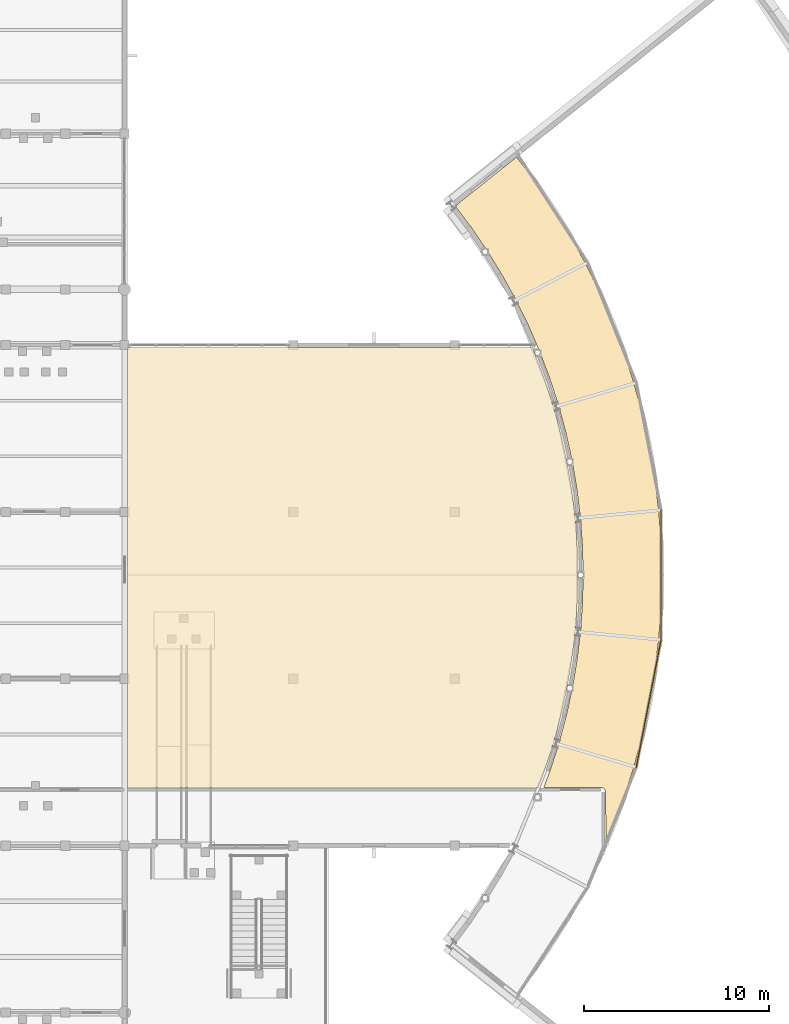
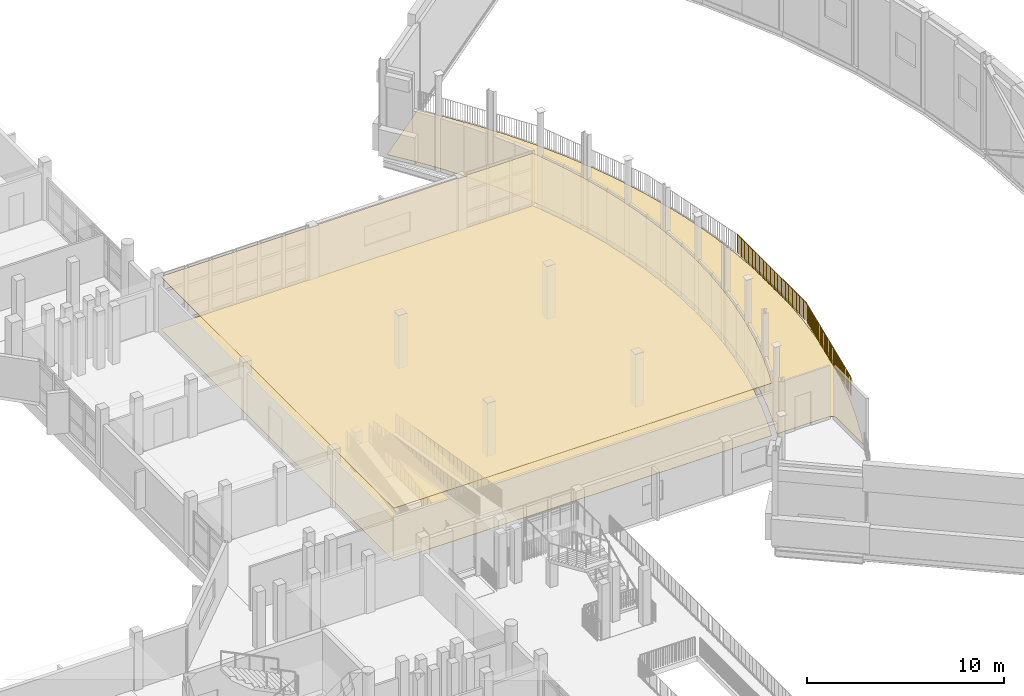
# One storey, part 102 of 104: 3 coverings, 2 railings.
"""IFC4 building model written with IfcOpenShell, lengths in metres."""

from ifc_helpers import new_model, si_unit, direction, frame, origin, origin_2d, place, context, subcontext, project, spatial, polyline, circle, outline, extrude, material, layer, layer_set, type_object, element, save


model = new_model("IFC4")

# Units and contexts
model_context = context("Model", 3, precision=1e-05, world=origin(), true_north=direction((0.0, 1.0)))
body_context = subcontext(model_context, "Body", "Model", "MODEL_VIEW")
ifc_project = project(units=[si_unit("LENGTHUNIT", "METRE"), si_unit("AREAUNIT", "SQUARE_METRE"), si_unit("VOLUMEUNIT", "CUBIC_METRE"), si_unit("PLANEANGLEUNIT", "RADIAN"), si_unit("MASSUNIT", "GRAM", prefix="KILO")], contexts=[model_context])

# Site, building, storey
site_placement = place(None, origin())
site = spatial("IfcSite", under=ifc_project, at=site_placement, CompositionType="ELEMENT")
building_placement = place(site_placement, origin())
building = spatial("IfcBuilding", under=site, at=building_placement, Name="Vanh Quang Courtyard School", CompositionType="ELEMENT")
storey_placement = place(building_placement, frame((0.0, 0.0, 4.199951171875)))
storey = spatial("IfcBuildingStorey", under=building, at=storey_placement, Name="L01", CompositionType="ELEMENT", Elevation=4.199951171875)

# Coverings
ifc_material_1 = material(Name="Perforated mineral-fibre acoustic ceiling board")
ifc_layer_1 = layer(ifc_material_1, 0.02490234375)
ifc_layer_set_1 = layer_set([ifc_layer_1], Name="Perforated mineral-fibre acoustic ceiling board")
covering_type_1 = type_object("IfcCoveringType", Name="COV-CEIL-ACOUSTIC", PredefinedType="CEILING", material=ifc_layer_set_1)
covering_1_placement = place(storey_placement, frame((0.0, 0.0, 3.255126953125)))
element("IfcCovering", 1, at=covering_1_placement, inside=storey, type_object=covering_type_1, Name="Covering CV-CL1 (L01)", PredefinedType="CEILING", context=body_context, shape_type="SweptSolid", body=[
    extrude(outline(polyline([(119.530029296875, 68.260009765625), (119.530029296875, 68.260986328125), (119.5302734375, 68.261962890625), (119.530517578125, 68.262939453125), (119.53076171875, 68.263916015625), (119.53125, 68.2646484375), (119.53173828125, 68.265625), (119.5322265625, 68.266357421875), (119.532958984375, 68.26708984375), (119.53369140625, 68.267578125), (119.534423828125, 68.268310546875), (119.535400390625, 68.268798828125), (119.5361328125, 68.269287109375), (119.537109375, 68.26953125), (119.5380859375, 68.269775390625), (119.5390625, 68.27001953125), (119.5400390625, 68.27001953125), (141.377685546875, 68.27001953125), (141.378662109375, 68.27001953125), (141.37939453125, 68.269775390625), (141.380615234375, 68.26953125), (141.38134765625, 68.269287109375), (141.38232421875, 68.268798828125), (141.383056640625, 68.268310546875), (141.3837890625, 68.267822265625), (141.384521484375, 68.26708984375), (141.38525390625, 68.266357421875), (141.3857421875, 68.265625), (141.386474609375, 68.264892578125), (141.38671875, 68.263916015625), (141.531982421875, 67.92822265625), (141.531982421875, 67.927734375), (142.070068359375, 66.497802734375), (142.0703125, 66.497314453125), (142.537109375, 65.04931640625), (142.537353515625, 65.048828125), (142.936279296875, 63.57373046875), (142.936279296875, 63.5732421875), (143.26416015625, 62.080810546875), (143.26416015625, 62.080322265625), (143.520751953125, 60.567138671875), (143.520751953125, 60.566650390625), (143.70361328125, 59.049560546875), (143.70361328125, 59.049072265625), (143.813232421875, 57.52490234375), (143.813232421875, 57.5244140625), (143.849853515625, 55.996826171875), (143.849853515625, 55.99658203125), (143.81298828125, 54.46875), (143.81298828125, 54.46826171875), (143.70361328125, 52.950927734375), (143.70361328125, 52.950439453125), (143.520751953125, 51.433349609375), (143.520751953125, 51.432861328125), (143.265380859375, 49.92626953125), (143.265380859375, 49.92578125), (142.936279296875, 48.4267578125), (142.936279296875, 48.42626953125), (142.537353515625, 46.951171875), (142.537109375, 46.95068359375), (142.0703125, 45.502685546875), (142.070068359375, 45.502197265625), (141.75439453125, 44.662841796875), (141.7353515625, 44.55810546875), (141.735107421875, 44.557373046875), (141.73486328125, 44.556396484375), (141.734619140625, 44.555419921875), (141.73388671875, 44.554443359375), (141.7333984375, 44.5537109375), (141.732666015625, 44.552978515625), (141.73193359375, 44.55224609375), (141.731201171875, 44.5517578125), (141.73046875, 44.55126953125), (141.7294921875, 44.55078125), (141.728515625, 44.55029296875), (141.7275390625, 44.55029296875), (141.7265625, 44.550048828125), (141.7255859375, 44.550048828125), (119.5400390625, 44.550048828125), (119.5390625, 44.550048828125), (119.5380859375, 44.55029296875), (119.537109375, 44.55029296875), (119.5361328125, 44.55078125), (119.535400390625, 44.55126953125), (119.534423828125, 44.5517578125), (119.53369140625, 44.55224609375), (119.532958984375, 44.552978515625), (119.5322265625, 44.5537109375), (119.53173828125, 44.554443359375), (119.53125, 44.555419921875), (119.53076171875, 44.55615234375), (119.530517578125, 44.55712890625), (119.5302734375, 44.55810546875), (119.530029296875, 44.55908203125), (119.530029296875, 44.56005859375), (119.530029296875, 68.260009765625)])), origin(), (0.0, 0.0, 1.0), 0.02490234375),
])
ifc_material_2 = material(Name="Polished cementitious terrazzo tile", Category="concrete")
ifc_layer_2 = layer(ifc_material_2, 0.02001953125)
ifc_layer_set_2 = layer_set([ifc_layer_2], Name="Polished cementitious terrazzo tile")
covering_type_2 = type_object("IfcCoveringType", Name="COV-FLR-TERRAZZO", PredefinedType="FLOORING", material=ifc_layer_set_2)
covering_2_placement = place(storey_placement, origin())
element("IfcCovering", 2, at=covering_2_placement, inside=storey, type_object=covering_type_2, Name="Covering CV-FL1 (L01)", PredefinedType="FLOORING", context=body_context, shape_type="SweptSolid", body=[
    extrude(outline(polyline([(139.756591796875, 72.183349609375), (138.944580078125, 73.501953125), (138.077880859375, 74.769287109375), (137.2294921875, 75.889892578125), (137.22900390625, 75.890869140625), (137.228515625, 75.8916015625), (137.228271484375, 75.892578125), (137.227783203125, 75.893310546875), (137.227783203125, 75.894287109375), (137.2275390625, 75.895263671875), (137.2275390625, 75.896240234375), (137.227783203125, 75.897216796875), (137.227783203125, 75.898193359375), (137.22802734375, 75.899169921875), (137.228515625, 75.89990234375), (137.22900390625, 75.90087890625), (137.2294921875, 75.901611328125), (137.22998046875, 75.902587890625), (137.230712890625, 75.9033203125), (137.2314453125, 75.90380859375), (140.533935546875, 78.53076171875), (140.53466796875, 78.531494140625), (140.535400390625, 78.531982421875), (140.53662109375, 78.5322265625), (140.537353515625, 78.53271484375), (140.538330078125, 78.53271484375), (140.539306640625, 78.532958984375), (140.540283203125, 78.532958984375), (140.54150390625, 78.532958984375), (140.542236328125, 78.53271484375), (140.543212890625, 78.532470703125), (140.544189453125, 78.531982421875), (140.545166015625, 78.53173828125), (140.5458984375, 78.531005859375), (140.546630859375, 78.530517578125), (140.54736328125, 78.52978515625), (140.548095703125, 78.529052734375), (141.516845703125, 77.249267578125), (141.51708984375, 77.248779296875), (142.50244140625, 75.80859375), (142.502685546875, 75.80810546875), (143.41748046875, 74.322509765625), (143.417724609375, 74.322021484375), (144.260498046875, 72.7939453125), (144.2607421875, 72.79345703125), (145.029052734375, 71.226806640625), (145.029296875, 71.2265625), (145.7216796875, 69.62451171875), (145.7216796875, 69.6240234375), (146.33642578125, 67.990966796875), (146.33642578125, 67.990478515625), (146.8720703125, 66.329833984375), (146.872314453125, 66.329345703125), (147.32763671875, 64.644775390625), (147.327880859375, 64.644287109375), (147.70166015625, 62.93994140625), (147.701904296875, 62.939453125), (147.99365234375, 61.218994140625), (147.99365234375, 61.218505859375), (148.202392578125, 59.486083984375), (148.20263671875, 59.485595703125), (148.328125, 57.7451171875), (148.328125, 57.74462890625), (148.3701171875, 56.000244140625), (148.3701171875, 55.999755859375), (148.328125, 54.25537109375), (148.328125, 54.2548828125), (148.20263671875, 52.514404296875), (148.202392578125, 52.513916015625), (147.99365234375, 50.781494140625), (147.99365234375, 50.781005859375), (147.701904296875, 49.060546875), (147.70166015625, 49.06005859375), (147.327880859375, 47.355712890625), (147.32763671875, 47.355224609375), (146.872314453125, 45.670654296875), (146.8720703125, 45.670166015625), (146.33642578125, 44.009521484375), (146.33642578125, 44.009033203125), (145.7216796875, 42.3759765625), (145.7216796875, 42.37548828125), (145.369140625, 41.56005859375), (145.36865234375, 41.559326171875), (145.3681640625, 41.558349609375), (145.36767578125, 41.5576171875), (145.366943359375, 41.556884765625), (145.3662109375, 41.556396484375), (145.365478515625, 41.5556640625), (145.364501953125, 41.55517578125), (145.36376953125, 41.5546875), (145.36279296875, 41.554443359375), (145.36181640625, 41.55419921875), (145.36083984375, 41.55419921875), (145.35986328125, 41.55419921875), (145.35888671875, 41.55419921875), (145.35791015625, 41.55419921875), (145.35693359375, 41.5546875), (145.356201171875, 41.554931640625), (145.355224609375, 41.555419921875), (145.3544921875, 41.555908203125), (145.353515625, 41.556396484375), (145.352783203125, 41.55712890625), (145.352294921875, 41.557861328125), (145.351806640625, 41.55859375), (145.351318359375, 41.559326171875), (145.350830078125, 41.560302734375), (145.350341796875, 41.561279296875), (145.35009765625, 41.562255859375), (145.35009765625, 41.56298828125), (145.35009765625, 41.564208984375), (145.349853515625, 44.266357421875), (145.343017578125, 44.322998046875), (145.318603515625, 44.390869140625), (145.2880859375, 44.438720703125), (145.249267578125, 44.4794921875), (145.164306640625, 44.5302734375), (145.110107421875, 44.54541015625), (145.0595703125, 44.550048828125), (142.025390625, 44.550048828125), (142.0244140625, 44.550048828125), (142.023681640625, 44.55029296875), (142.022705078125, 44.55029296875), (142.021728515625, 44.55078125), (142.02099609375, 44.551025390625), (142.02001953125, 44.551513671875), (142.019287109375, 44.55224609375), (142.0185546875, 44.552734375), (142.017822265625, 44.553466796875), (142.017333984375, 44.55419921875), (142.016845703125, 44.55517578125), (142.016357421875, 44.555908203125), (142.01611328125, 44.556884765625), (142.015625, 44.557861328125), (142.015625, 44.558837890625), (142.015380859375, 44.559814453125), (142.015380859375, 44.560791015625), (142.015625, 44.561767578125), (142.015869140625, 44.5625), (142.01611328125, 44.5634765625), (142.334716796875, 45.41015625), (142.805908203125, 46.871337890625), (143.20849609375, 48.360107421875), (143.540283203125, 49.87255859375), (143.7978515625, 51.392822265625), (143.982421875, 52.923828125), (144.0927734375, 54.455078125), (144.1298828125, 55.99658203125), (144.093017578125, 57.5380859375), (143.982421875, 59.076171875), (143.7978515625, 60.607177734375), (143.5390625, 62.134033203125), (143.20849609375, 63.639892578125), (142.805908203125, 65.128662109375), (142.334716796875, 66.58984375), (141.79150390625, 68.032958984375), (141.179931640625, 69.448486328125), (140.501220703125, 70.8330078125), (139.756591796875, 72.183349609375)])), origin(), (0.0, 0.0, 1.0), 0.02001953125),
])
covering_3_placement = place(storey_placement, origin())
element("IfcCovering", 3, at=covering_3_placement, inside=storey, type_object=covering_type_2, Name="Covering CV-FL1 (L01)", PredefinedType="FLOORING", context=body_context, shape_type="SweptSolid", body=[
    extrude(outline(polyline([(119.530029296875, 68.260009765625), (119.530029296875, 68.260986328125), (119.5302734375, 68.261962890625), (119.530517578125, 68.262939453125), (119.53076171875, 68.263916015625), (119.53125, 68.2646484375), (119.53173828125, 68.265625), (119.5322265625, 68.266357421875), (119.532958984375, 68.26708984375), (119.53369140625, 68.267578125), (119.534423828125, 68.268310546875), (119.535400390625, 68.268798828125), (119.5361328125, 68.269287109375), (119.537109375, 68.26953125), (119.5380859375, 68.269775390625), (119.5390625, 68.27001953125), (119.5400390625, 68.27001953125), (141.377685546875, 68.27001953125), (141.378662109375, 68.27001953125), (141.37939453125, 68.269775390625), (141.380615234375, 68.26953125), (141.38134765625, 68.269287109375), (141.38232421875, 68.268798828125), (141.383056640625, 68.268310546875), (141.3837890625, 68.267822265625), (141.384521484375, 68.26708984375), (141.38525390625, 68.266357421875), (141.3857421875, 68.265625), (141.386474609375, 68.264892578125), (141.38671875, 68.263916015625), (141.531982421875, 67.92822265625), (141.531982421875, 67.927734375), (142.070068359375, 66.497802734375), (142.0703125, 66.497314453125), (142.537109375, 65.04931640625), (142.537353515625, 65.048828125), (142.936279296875, 63.57373046875), (142.936279296875, 63.5732421875), (143.26416015625, 62.080810546875), (143.26416015625, 62.080322265625), (143.520751953125, 60.567138671875), (143.520751953125, 60.566650390625), (143.70361328125, 59.049560546875), (143.70361328125, 59.049072265625), (143.813232421875, 57.52490234375), (143.813232421875, 57.5244140625), (143.849853515625, 55.996826171875), (143.849853515625, 55.99658203125), (143.81298828125, 54.46875), (143.81298828125, 54.46826171875), (143.70361328125, 52.950927734375), (143.70361328125, 52.950439453125), (143.520751953125, 51.433349609375), (143.520751953125, 51.432861328125), (143.265380859375, 49.92626953125), (143.265380859375, 49.92578125), (142.936279296875, 48.4267578125), (142.936279296875, 48.42626953125), (142.537353515625, 46.951171875), (142.537109375, 46.95068359375), (142.0703125, 45.502685546875), (142.070068359375, 45.502197265625), (141.75439453125, 44.662841796875), (141.7353515625, 44.55810546875), (141.735107421875, 44.557373046875), (141.73486328125, 44.556396484375), (141.734619140625, 44.555419921875), (141.73388671875, 44.554443359375), (141.7333984375, 44.5537109375), (141.732666015625, 44.552978515625), (141.73193359375, 44.55224609375), (141.731201171875, 44.5517578125), (141.73046875, 44.55126953125), (141.7294921875, 44.55078125), (141.728515625, 44.55029296875), (141.7275390625, 44.55029296875), (141.7265625, 44.550048828125), (141.7255859375, 44.550048828125), (119.5400390625, 44.550048828125), (119.5390625, 44.550048828125), (119.5380859375, 44.55029296875), (119.537109375, 44.55029296875), (119.5361328125, 44.55078125), (119.535400390625, 44.55126953125), (119.534423828125, 44.5517578125), (119.53369140625, 44.55224609375), (119.532958984375, 44.552978515625), (119.5322265625, 44.5537109375), (119.53173828125, 44.554443359375), (119.53125, 44.555419921875), (119.53076171875, 44.55615234375), (119.530517578125, 44.55712890625), (119.5302734375, 44.55810546875), (119.530029296875, 44.55908203125), (119.530029296875, 44.56005859375), (119.530029296875, 68.260009765625)])), origin(), (0.0, 0.0, 1.0), 0.02001953125),
])

# Railings
ifc_material_3 = material(Name="Galvanised painted steel EN 10025-2 S355J2", Category="steel")
railing_type = type_object("IfcRailingType", Name="RAIL-GUARD-1150", PredefinedType="BALUSTRADE", material=ifc_material_3)
railing_1_placement = place(storey_placement, frame((146.996826171875, 45.63330078125, 0.0)))
element("IfcRailing", 4, at=railing_1_placement, inside=storey, type_object=railing_type, Name="Railing GR-01 (L01)", PredefinedType="BALUSTRADE", context=body_context, shape_type="SweptSolid", body=[
    extrude(circle(Radius=0.02392578125, at=origin_2d()), frame((0.0, 0.0, 1.1259765625), z_axis=(0.190825764709, 0.981623923671, 0.0), x_axis=(-0.981623923671, 0.190825764709, 0.0)), (0.0, 0.0, 1.0), 6.9970703125),
    extrude(circle(Radius=0.02099609375, at=origin_2d()), origin(), (0.0, 0.0, 1.0), 1.101806640625),
    extrude(circle(Radius=0.02099609375, at=origin_2d()), frame((0.026611328125, 0.137451171875, 0.0)), (0.0, 0.0, 1.0), 1.101806640625),
    extrude(circle(Radius=0.02099609375, at=origin_2d()), frame((0.053466796875, 0.274658203125, 0.0)), (0.0, 0.0, 1.0), 1.101806640625),
    extrude(circle(Radius=0.02099609375, at=origin_2d()), frame((0.080078125, 0.412109375, 0.0)), (0.0, 0.0, 1.0), 1.101806640625),
    extrude(circle(Radius=0.02099609375, at=origin_2d()), frame((0.10693359375, 0.549560546875, 0.0)), (0.0, 0.0, 1.0), 1.101806640625),
    extrude(circle(Radius=0.02099609375, at=origin_2d()), frame((0.133544921875, 0.686767578125, 0.0)), (0.0, 0.0, 1.0), 1.101806640625),
    extrude(circle(Radius=0.02099609375, at=origin_2d()), frame((0.16015625, 0.82421875, 0.0)), (0.0, 0.0, 1.0), 1.101806640625),
    extrude(circle(Radius=0.02099609375, at=origin_2d()), frame((0.18701171875, 0.961669921875, 0.0)), (0.0, 0.0, 1.0), 1.101806640625),
    extrude(circle(Radius=0.02099609375, at=origin_2d()), frame((0.213623046875, 1.098876953125, 0.0)), (0.0, 0.0, 1.0), 1.101806640625),
    extrude(circle(Radius=0.02099609375, at=origin_2d()), frame((0.240234375, 1.236328125, 0.0)), (0.0, 0.0, 1.0), 1.101806640625),
    extrude(circle(Radius=0.02099609375, at=origin_2d()), frame((0.26708984375, 1.373779296875, 0.0)), (0.0, 0.0, 1.0), 1.101806640625),
    extrude(circle(Radius=0.02099609375, at=origin_2d()), frame((0.293701171875, 1.510986328125, 0.0)), (0.0, 0.0, 1.0), 1.101806640625),
    extrude(circle(Radius=0.02099609375, at=origin_2d()), frame((0.320556640625, 1.6484375, 0.0)), (0.0, 0.0, 1.0), 1.101806640625),
    extrude(circle(Radius=0.02099609375, at=origin_2d()), frame((0.34716796875, 1.785888671875, 0.0)), (0.0, 0.0, 1.0), 1.101806640625),
    extrude(circle(Radius=0.02099609375, at=origin_2d()), frame((0.373779296875, 1.923095703125, 0.0)), (0.0, 0.0, 1.0), 1.101806640625),
    extrude(circle(Radius=0.02099609375, at=origin_2d()), frame((0.400634765625, 2.060546875, 0.0)), (0.0, 0.0, 1.0), 1.101806640625),
    extrude(circle(Radius=0.02099609375, at=origin_2d()), frame((0.42724609375, 2.197998046875, 0.0)), (0.0, 0.0, 1.0), 1.101806640625),
    extrude(circle(Radius=0.02099609375, at=origin_2d()), frame((0.453857421875, 2.335205078125, 0.0)), (0.0, 0.0, 1.0), 1.101806640625),
    extrude(circle(Radius=0.02099609375, at=origin_2d()), frame((0.480712890625, 2.47265625, 0.0)), (0.0, 0.0, 1.0), 1.101806640625),
    extrude(circle(Radius=0.02099609375, at=origin_2d()), frame((0.50732421875, 2.610107421875, 0.0)), (0.0, 0.0, 1.0), 1.101806640625),
    extrude(circle(Radius=0.02099609375, at=origin_2d()), frame((0.5341796875, 2.747314453125, 0.0)), (0.0, 0.0, 1.0), 1.101806640625),
    extrude(circle(Radius=0.02099609375, at=origin_2d()), frame((0.560791015625, 2.884765625, 0.0)), (0.0, 0.0, 1.0), 1.101806640625),
    extrude(circle(Radius=0.02099609375, at=origin_2d()), frame((0.58740234375, 3.022216796875, 0.0)), (0.0, 0.0, 1.0), 1.101806640625),
    extrude(circle(Radius=0.02099609375, at=origin_2d()), frame((0.6142578125, 3.159423828125, 0.0)), (0.0, 0.0, 1.0), 1.101806640625),
    extrude(circle(Radius=0.02099609375, at=origin_2d()), frame((0.640869140625, 3.296875, 0.0)), (0.0, 0.0, 1.0), 1.101806640625),
    extrude(circle(Radius=0.02099609375, at=origin_2d()), frame((0.66748046875, 3.43408203125, 0.0)), (0.0, 0.0, 1.0), 1.101806640625),
    extrude(circle(Radius=0.02099609375, at=origin_2d()), frame((0.6943359375, 3.571533203125, 0.0)), (0.0, 0.0, 1.0), 1.101806640625),
    extrude(circle(Radius=0.02099609375, at=origin_2d()), frame((0.720947265625, 3.708984375, 0.0)), (0.0, 0.0, 1.0), 1.101806640625),
    extrude(circle(Radius=0.02099609375, at=origin_2d()), frame((0.747802734375, 3.84619140625, 0.0)), (0.0, 0.0, 1.0), 1.101806640625),
    extrude(circle(Radius=0.02099609375, at=origin_2d()), frame((0.7744140625, 3.983642578125, 0.0)), (0.0, 0.0, 1.0), 1.101806640625),
    extrude(circle(Radius=0.02099609375, at=origin_2d()), frame((0.801025390625, 4.12109375, 0.0)), (0.0, 0.0, 1.0), 1.101806640625),
    extrude(circle(Radius=0.02099609375, at=origin_2d()), frame((0.827880859375, 4.25830078125, 0.0)), (0.0, 0.0, 1.0), 1.101806640625),
    extrude(circle(Radius=0.02099609375, at=origin_2d()), frame((0.8544921875, 4.395751953125, 0.0)), (0.0, 0.0, 1.0), 1.101806640625),
    extrude(circle(Radius=0.02099609375, at=origin_2d()), frame((0.88134765625, 4.533203125, 0.0)), (0.0, 0.0, 1.0), 1.101806640625),
    extrude(circle(Radius=0.02099609375, at=origin_2d()), frame((0.907958984375, 4.67041015625, 0.0)), (0.0, 0.0, 1.0), 1.101806640625),
    extrude(circle(Radius=0.02099609375, at=origin_2d()), frame((0.9345703125, 4.807861328125, 0.0)), (0.0, 0.0, 1.0), 1.101806640625),
    extrude(circle(Radius=0.02099609375, at=origin_2d()), frame((0.96142578125, 4.9453125, 0.0)), (0.0, 0.0, 1.0), 1.101806640625),
    extrude(circle(Radius=0.02099609375, at=origin_2d()), frame((0.988037109375, 5.08251953125, 0.0)), (0.0, 0.0, 1.0), 1.101806640625),
    extrude(circle(Radius=0.02099609375, at=origin_2d()), frame((1.0146484375, 5.219970703125, 0.0)), (0.0, 0.0, 1.0), 1.101806640625),
    extrude(circle(Radius=0.02099609375, at=origin_2d()), frame((1.04150390625, 5.357421875, 0.0)), (0.0, 0.0, 1.0), 1.101806640625),
    extrude(circle(Radius=0.02099609375, at=origin_2d()), frame((1.068115234375, 5.49462890625, 0.0)), (0.0, 0.0, 1.0), 1.101806640625),
    extrude(circle(Radius=0.02099609375, at=origin_2d()), frame((1.094970703125, 5.632080078125, 0.0)), (0.0, 0.0, 1.0), 1.101806640625),
    extrude(circle(Radius=0.02099609375, at=origin_2d()), frame((1.12158203125, 5.76953125, 0.0)), (0.0, 0.0, 1.0), 1.101806640625),
    extrude(circle(Radius=0.02099609375, at=origin_2d()), frame((1.148193359375, 5.90673828125, 0.0)), (0.0, 0.0, 1.0), 1.101806640625),
    extrude(circle(Radius=0.02099609375, at=origin_2d()), frame((1.175048828125, 6.044189453125, 0.0)), (0.0, 0.0, 1.0), 1.101806640625),
    extrude(circle(Radius=0.02099609375, at=origin_2d()), frame((1.20166015625, 6.181640625, 0.0)), (0.0, 0.0, 1.0), 1.101806640625),
    extrude(circle(Radius=0.02099609375, at=origin_2d()), frame((1.228271484375, 6.31884765625, 0.0)), (0.0, 0.0, 1.0), 1.101806640625),
    extrude(circle(Radius=0.02099609375, at=origin_2d()), frame((1.255126953125, 6.456298828125, 0.0)), (0.0, 0.0, 1.0), 1.101806640625),
    extrude(circle(Radius=0.02099609375, at=origin_2d()), frame((1.28173828125, 6.59375, 0.0)), (0.0, 0.0, 1.0), 1.101806640625),
    extrude(circle(Radius=0.02099609375, at=origin_2d()), frame((1.30859375, 6.73095703125, 0.0)), (0.0, 0.0, 1.0), 1.101806640625),
    extrude(circle(Radius=0.02099609375, at=origin_2d()), frame((1.335205078125, 6.868408203125, 0.0)), (0.0, 0.0, 1.0), 1.101806640625),
])
railing_2_placement = place(storey_placement, frame((148.33203125, 52.501708984375, 0.0)))
element("IfcRailing", 5, at=railing_2_placement, inside=storey, type_object=railing_type, Name="Railing GR-01 (L01)", PredefinedType="BALUSTRADE", context=body_context, shape_type="SweptSolid", body=[
    extrude(circle(Radius=0.02392578125, at=origin_2d()), frame((0.0, 0.0, 1.1259765625), z_axis=(0.0, 1.0, 0.0), x_axis=(-1.0, 0.0, 0.0)), (0.0, 0.0, 1.0), 6.99658203125),
    extrude(circle(Radius=0.02099609375, at=origin_2d()), origin(), (0.0, 0.0, 1.0), 1.101806640625),
    extrude(circle(Radius=0.02099609375, at=origin_2d()), frame((0.0, 0.139892578125, 0.0)), (0.0, 0.0, 1.0), 1.101806640625),
    extrude(circle(Radius=0.02099609375, at=origin_2d()), frame((0.0, 0.27978515625, 0.0)), (0.0, 0.0, 1.0), 1.101806640625),
    extrude(circle(Radius=0.02099609375, at=origin_2d()), frame((0.0, 0.419677734375, 0.0)), (0.0, 0.0, 1.0), 1.101806640625),
    extrude(circle(Radius=0.02099609375, at=origin_2d()), frame((0.0, 0.559814453125, 0.0)), (0.0, 0.0, 1.0), 1.101806640625),
    extrude(circle(Radius=0.02099609375, at=origin_2d()), frame((0.0, 0.69970703125, 0.0)), (0.0, 0.0, 1.0), 1.101806640625),
    extrude(circle(Radius=0.02099609375, at=origin_2d()), frame((0.0, 0.839599609375, 0.0)), (0.0, 0.0, 1.0), 1.101806640625),
    extrude(circle(Radius=0.02099609375, at=origin_2d()), frame((0.0, 0.9794921875, 0.0)), (0.0, 0.0, 1.0), 1.101806640625),
    extrude(circle(Radius=0.02099609375, at=origin_2d()), frame((0.0, 1.119384765625, 0.0)), (0.0, 0.0, 1.0), 1.101806640625),
    extrude(circle(Radius=0.02099609375, at=origin_2d()), frame((0.0, 1.25927734375, 0.0)), (0.0, 0.0, 1.0), 1.101806640625),
    extrude(circle(Radius=0.02099609375, at=origin_2d()), frame((0.0, 1.3994140625, 0.0)), (0.0, 0.0, 1.0), 1.101806640625),
    extrude(circle(Radius=0.02099609375, at=origin_2d()), frame((0.0, 1.539306640625, 0.0)), (0.0, 0.0, 1.0), 1.101806640625),
    extrude(circle(Radius=0.02099609375, at=origin_2d()), frame((0.0, 1.67919921875, 0.0)), (0.0, 0.0, 1.0), 1.101806640625),
    extrude(circle(Radius=0.02099609375, at=origin_2d()), frame((0.0, 1.819091796875, 0.0)), (0.0, 0.0, 1.0), 1.101806640625),
    extrude(circle(Radius=0.02099609375, at=origin_2d()), frame((0.0, 1.958984375, 0.0)), (0.0, 0.0, 1.0), 1.101806640625),
    extrude(circle(Radius=0.02099609375, at=origin_2d()), frame((0.0, 2.098876953125, 0.0)), (0.0, 0.0, 1.0), 1.101806640625),
    extrude(circle(Radius=0.02099609375, at=origin_2d()), frame((0.0, 2.239013671875, 0.0)), (0.0, 0.0, 1.0), 1.101806640625),
    extrude(circle(Radius=0.02099609375, at=origin_2d()), frame((0.0, 2.37890625, 0.0)), (0.0, 0.0, 1.0), 1.101806640625),
    extrude(circle(Radius=0.02099609375, at=origin_2d()), frame((0.0, 2.518798828125, 0.0)), (0.0, 0.0, 1.0), 1.101806640625),
    extrude(circle(Radius=0.02099609375, at=origin_2d()), frame((0.0, 2.65869140625, 0.0)), (0.0, 0.0, 1.0), 1.101806640625),
    extrude(circle(Radius=0.02099609375, at=origin_2d()), frame((0.0, 2.798583984375, 0.0)), (0.0, 0.0, 1.0), 1.101806640625),
    extrude(circle(Radius=0.02099609375, at=origin_2d()), frame((0.0, 2.9384765625, 0.0)), (0.0, 0.0, 1.0), 1.101806640625),
    extrude(circle(Radius=0.02099609375, at=origin_2d()), frame((0.0, 3.07861328125, 0.0)), (0.0, 0.0, 1.0), 1.101806640625),
    extrude(circle(Radius=0.02099609375, at=origin_2d()), frame((0.0, 3.218505859375, 0.0)), (0.0, 0.0, 1.0), 1.101806640625),
    extrude(circle(Radius=0.02099609375, at=origin_2d()), frame((0.0, 3.3583984375, 0.0)), (0.0, 0.0, 1.0), 1.101806640625),
    extrude(circle(Radius=0.02099609375, at=origin_2d()), frame((0.0, 3.498291015625, 0.0)), (0.0, 0.0, 1.0), 1.101806640625),
    extrude(circle(Radius=0.02099609375, at=origin_2d()), frame((0.0, 3.63818359375, 0.0)), (0.0, 0.0, 1.0), 1.101806640625),
    extrude(circle(Radius=0.02099609375, at=origin_2d()), frame((0.0, 3.778076171875, 0.0)), (0.0, 0.0, 1.0), 1.101806640625),
    extrude(circle(Radius=0.02099609375, at=origin_2d()), frame((0.0, 3.91796875, 0.0)), (0.0, 0.0, 1.0), 1.101806640625),
    extrude(circle(Radius=0.02099609375, at=origin_2d()), frame((0.0, 4.05810546875, 0.0)), (0.0, 0.0, 1.0), 1.101806640625),
    extrude(circle(Radius=0.02099609375, at=origin_2d()), frame((0.0, 4.197998046875, 0.0)), (0.0, 0.0, 1.0), 1.101806640625),
    extrude(circle(Radius=0.02099609375, at=origin_2d()), frame((0.0, 4.337890625, 0.0)), (0.0, 0.0, 1.0), 1.101806640625),
    extrude(circle(Radius=0.02099609375, at=origin_2d()), frame((0.0, 4.477783203125, 0.0)), (0.0, 0.0, 1.0), 1.101806640625),
    extrude(circle(Radius=0.02099609375, at=origin_2d()), frame((0.0, 4.61767578125, 0.0)), (0.0, 0.0, 1.0), 1.101806640625),
    extrude(circle(Radius=0.02099609375, at=origin_2d()), frame((0.0, 4.757568359375, 0.0)), (0.0, 0.0, 1.0), 1.101806640625),
    extrude(circle(Radius=0.02099609375, at=origin_2d()), frame((0.0, 4.897705078125, 0.0)), (0.0, 0.0, 1.0), 1.101806640625),
    extrude(circle(Radius=0.02099609375, at=origin_2d()), frame((0.0, 5.03759765625, 0.0)), (0.0, 0.0, 1.0), 1.101806640625),
    extrude(circle(Radius=0.02099609375, at=origin_2d()), frame((0.0, 5.177490234375, 0.0)), (0.0, 0.0, 1.0), 1.101806640625),
    extrude(circle(Radius=0.02099609375, at=origin_2d()), frame((0.0, 5.3173828125, 0.0)), (0.0, 0.0, 1.0), 1.101806640625),
    extrude(circle(Radius=0.02099609375, at=origin_2d()), frame((0.0, 5.457275390625, 0.0)), (0.0, 0.0, 1.0), 1.101806640625),
    extrude(circle(Radius=0.02099609375, at=origin_2d()), frame((0.0, 5.59716796875, 0.0)), (0.0, 0.0, 1.0), 1.101806640625),
    extrude(circle(Radius=0.02099609375, at=origin_2d()), frame((0.0, 5.7373046875, 0.0)), (0.0, 0.0, 1.0), 1.101806640625),
    extrude(circle(Radius=0.02099609375, at=origin_2d()), frame((0.0, 5.877197265625, 0.0)), (0.0, 0.0, 1.0), 1.101806640625),
    extrude(circle(Radius=0.02099609375, at=origin_2d()), frame((0.0, 6.01708984375, 0.0)), (0.0, 0.0, 1.0), 1.101806640625),
    extrude(circle(Radius=0.02099609375, at=origin_2d()), frame((0.0, 6.156982421875, 0.0)), (0.0, 0.0, 1.0), 1.101806640625),
    extrude(circle(Radius=0.02099609375, at=origin_2d()), frame((0.0, 6.296875, 0.0)), (0.0, 0.0, 1.0), 1.101806640625),
    extrude(circle(Radius=0.02099609375, at=origin_2d()), frame((0.0, 6.436767578125, 0.0)), (0.0, 0.0, 1.0), 1.101806640625),
    extrude(circle(Radius=0.02099609375, at=origin_2d()), frame((0.0, 6.576904296875, 0.0)), (0.0, 0.0, 1.0), 1.101806640625),
    extrude(circle(Radius=0.02099609375, at=origin_2d()), frame((0.0, 6.716796875, 0.0)), (0.0, 0.0, 1.0), 1.101806640625),
    extrude(circle(Radius=0.02099609375, at=origin_2d()), frame((0.0, 6.856689453125, 0.0)), (0.0, 0.0, 1.0), 1.101806640625),
    extrude(circle(Radius=0.02099609375, at=origin_2d()), frame((0.0, 6.99658203125, 0.0)), (0.0, 0.0, 1.0), 1.101806640625),
])

save(model, "model.ifc")
